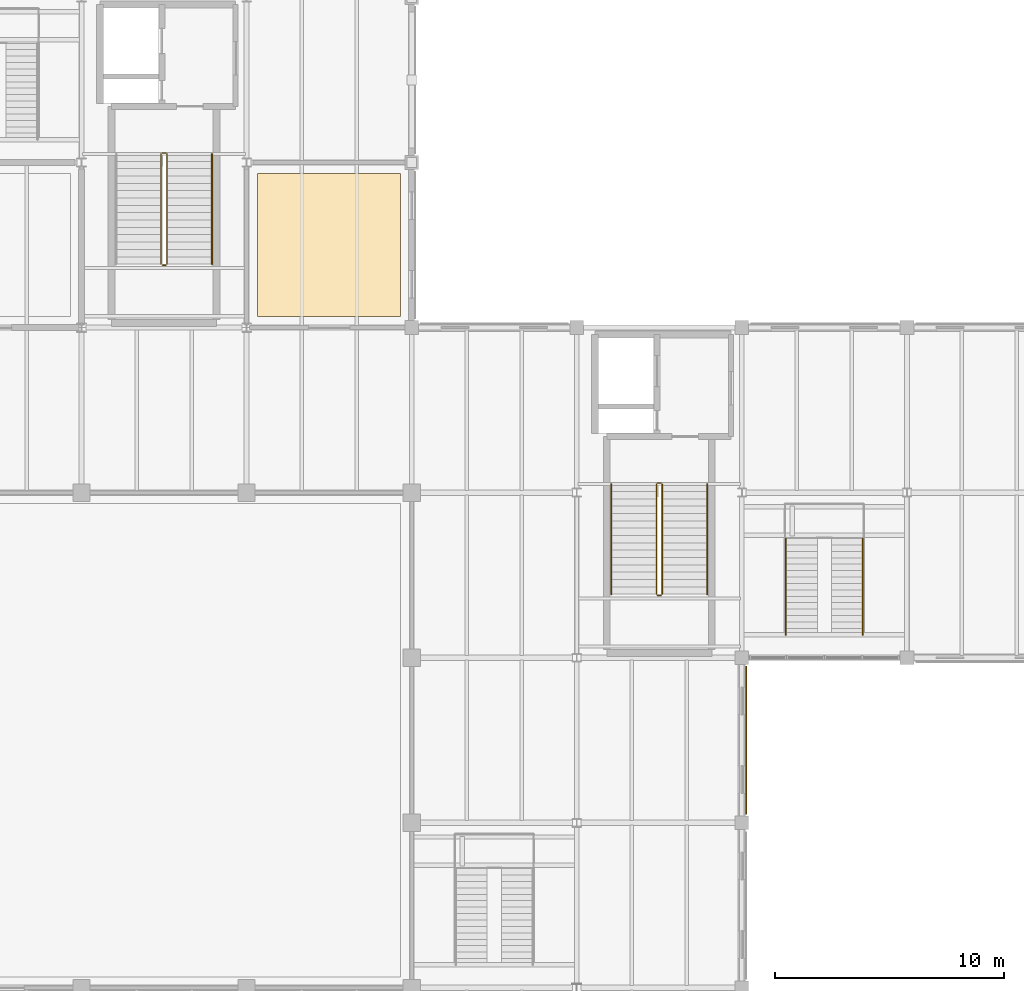
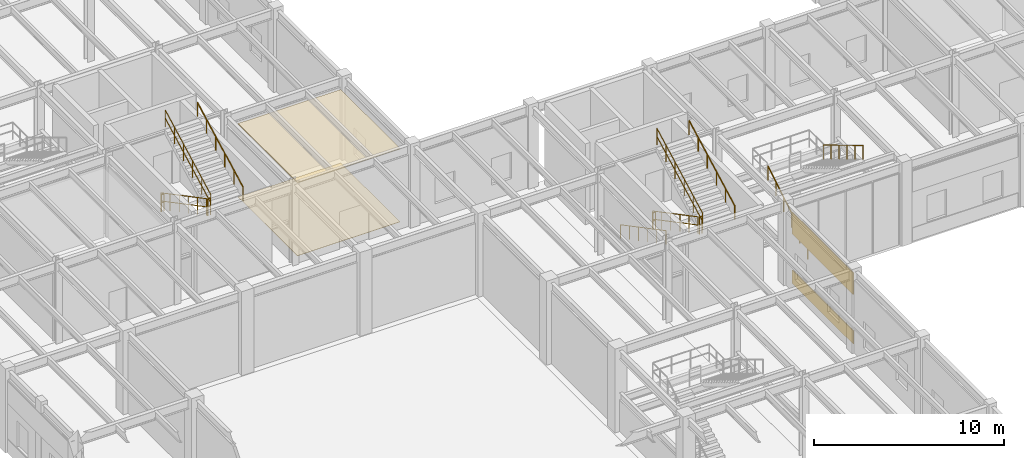
# One storey, part 87 of 97: 13 railings, 4 coverings.
"""IFC4 building model written with IfcOpenShell, lengths in metres."""

from ifc_helpers import new_model, si_unit, direction, frame, frame_2d, origin, origin_2d, place, context, subcontext, project, spatial, polyline, rectangle, circle, outline, extrude, material, layer, layer_set, type_object, element, save


model = new_model("IFC4")

# Units and contexts
model_context = context("Model", 3, precision=1e-05, world=origin(), true_north=direction((0.0, 1.0)))
body_context = subcontext(model_context, "Body", "Model", "MODEL_VIEW")
ifc_project = project(units=[si_unit("LENGTHUNIT", "METRE"), si_unit("AREAUNIT", "SQUARE_METRE"), si_unit("VOLUMEUNIT", "CUBIC_METRE"), si_unit("PLANEANGLEUNIT", "RADIAN"), si_unit("MASSUNIT", "GRAM", prefix="KILO")], contexts=[model_context])

# Site, building, storey
site_placement = place(None, origin())
site = spatial("IfcSite", under=ifc_project, at=site_placement, CompositionType="ELEMENT")
building_placement = place(site_placement, origin())
building = spatial("IfcBuilding", under=site, at=building_placement, Name="Sillqori Civic Hall", CompositionType="ELEMENT")
storey_placement = place(building_placement, origin())
storey = spatial("IfcBuildingStorey", under=building, at=storey_placement, Name="L01", CompositionType="ELEMENT", Elevation=0.0)

# Coverings
ifc_material_1 = material(Name="Andean Cedar Deep Baffle 58", Category="timber")
ifc_layer_1 = layer(ifc_material_1, 0.05810546875)
ifc_layer_set_1 = layer_set([ifc_layer_1], Name="Andean Cedar Deep Baffle 58")
covering_type_1 = type_object("IfcCoveringType", Name="COV-CEIL-T58", PredefinedType="CEILING", material=ifc_layer_set_1)
covering_1_placement = place(storey_placement, frame((0.0, 0.0, 4.69189453125)))
element("IfcCovering", 1, at=covering_1_placement, inside=storey, type_object=covering_type_1, Name="Public Hearing Room Tunari acoustic ceiling", PredefinedType="CEILING", context=body_context, shape_type="SweptSolid", body=[
    extrude(outline(polyline([(29.280029296875, 50.8798828125), (35.52001953125, 50.8798828125), (35.52001953125, 57.1201171875), (29.280029296875, 57.1201171875), (29.280029296875, 50.8798828125)])), origin(), (0.0, 0.0, 1.0), 0.05810546875),
])
ifc_material_2 = material(Name="Cochabamba Honed Limestone Cladding", Category="masonry")
ifc_layer_2 = layer(ifc_material_2, 0.044921875)
ifc_layer_set_2 = layer_set([ifc_layer_2], Name="Cochabamba Honed Limestone Cladding")
covering_type_2 = type_object("IfcCoveringType", Name="COV-CLAD-LIME", PredefinedType="CLADDING", material=ifc_layer_set_2)
covering_2_placement = place(storey_placement, frame((50.590087890625, 35.6201171875, 0.0400390625), z_axis=(0.0, 0.0, 1.0), x_axis=(0.0, -1.0, 0.0)))
element("IfcCovering", 2, at=covering_2_placement, inside=storey, type_object=covering_type_2, Name="L01 limestone spandrel cladding L01-06-04-E", PredefinedType="CLADDING", context=body_context, shape_type="SweptSolid", body=[
    extrude(rectangle(XDim=6.440185546875, YDim=0.044921875, at=frame_2d((3.22021484375, 0.0))), origin(), (0.0, 0.0, 1.0), 0.85986328125),
])
covering_3_placement = place(storey_placement, frame((50.590087890625, 35.6201171875, 3.219970703125), z_axis=(0.0, 0.0, 1.0), x_axis=(0.0, -1.0, 0.0)))
element("IfcCovering", 3, at=covering_3_placement, inside=storey, type_object=covering_type_2, Name="L01 limestone frieze cladding L01-06-04-E", PredefinedType="CLADDING", context=body_context, shape_type="SweptSolid", body=[
    extrude(rectangle(XDim=6.440185546875, YDim=0.044921875, at=frame_2d((3.22021484375, 0.0))), origin(), (0.0, 0.0, 1.0), 1.406982421875),
])
ifc_material_3 = material(Name="Tajibo Parquet Strip Flooring 22", Category="timber")
ifc_layer_3 = layer(ifc_material_3, 0.02197265625)
ifc_layer_set_3 = layer_set([ifc_layer_3], Name="Tajibo Parquet Strip Flooring 22")
covering_type_3 = type_object("IfcCoveringType", Name="COV-FLR-T22", PredefinedType="FLOORING", material=ifc_layer_set_3)
covering_4_placement = place(storey_placement, origin())
element("IfcCovering", 4, at=covering_4_placement, inside=storey, type_object=covering_type_3, Name="Public Hearing Room Tunari floor finish", PredefinedType="FLOORING", context=body_context, shape_type="SweptSolid", body=[
    extrude(outline(polyline([(29.280029296875, 50.8798828125), (35.52001953125, 50.8798828125), (35.52001953125, 57.1201171875), (29.280029296875, 57.1201171875), (29.280029296875, 50.8798828125)])), origin(), (0.0, 0.0, 1.0), 0.02197265625),
])

# Railings
ifc_material_4 = material(Name="Brushed Stainless Steel 316 Handrail", Category="steel")
ifc_layer_4 = layer(ifc_material_4, 0.044921875)
ifc_layer_set_4 = layer_set([ifc_layer_4], Name="Brushed Stainless Steel 316 Handrail")
railing_type_1 = type_object("IfcRailingType", Name="RLG-CORE-092", PredefinedType="HANDRAIL", material=ifc_layer_set_4)
railing_1_placement = place(storey_placement, frame((44.7099609375, 43.570068359375, 0.168701171875)))
element("IfcRailing", 5, at=railing_1_placement, inside=storey, type_object=railing_type_1, Name="L01 ST-01 stair handrail 1", PredefinedType="HANDRAIL", context=body_context, shape_type="SweptSolid", body=[
    extrude(circle(Radius=0.02392578125, at=origin_2d()), frame((0.0, 0.0, 0.8759765625), z_axis=(0.0, -0.8845451381, 0.466454605148), x_axis=(1.0, 0.0, 0.0)), (0.0, 0.0, 1.0), 5.426513671875),
    extrude(circle(Radius=0.02099609375, at=origin_2d()), origin(), (0.0, 0.0, 1.0), 0.851806640625),
    extrude(circle(Radius=0.02099609375, at=origin_2d()), frame((0.0, -0.9599609375, 0.50634765625)), (0.0, 0.0, 1.0), 0.851806640625),
    extrude(circle(Radius=0.02099609375, at=origin_2d()), frame((0.0, -1.919921875, 1.012451171875)), (0.0, 0.0, 1.0), 0.851806640625),
    extrude(circle(Radius=0.02099609375, at=origin_2d()), frame((0.0, -2.880126953125, 1.518798828125)), (0.0, 0.0, 1.0), 0.851806640625),
    extrude(circle(Radius=0.02099609375, at=origin_2d()), frame((0.0, -3.840087890625, 2.02490234375)), (0.0, 0.0, 1.0), 0.851806640625),
    extrude(circle(Radius=0.02099609375, at=origin_2d()), frame((0.0, -4.800048828125, 2.53125)), (0.0, 0.0, 1.0), 0.851806640625),
])
for number, where, name in (
    (6, (48.889892578125, 38.77001953125, 2.86865234375), "L01 ST-01 stair handrail 2"),
    (7, (27.2900390625, 53.169921875, 2.86865234375), "L01 ST-04 stair handrail 2"),
):
    element("IfcRailing", number, at=place(storey_placement, frame(where)), inside=storey, type_object=railing_type_1, Name=name, PredefinedType="HANDRAIL", context=body_context, shape_type="SweptSolid", body=[
        extrude(circle(Radius=0.02392578125, at=origin_2d()), frame((0.0, 0.0, 0.8759765625), z_axis=(0.0, 0.8845451381, 0.466454605148), x_axis=(-1.0, 0.0, 0.0)), (0.0, 0.0, 1.0), 5.426513671875),
        extrude(circle(Radius=0.02099609375, at=origin_2d()), origin(), (0.0, 0.0, 1.0), 0.851806640625),
        extrude(circle(Radius=0.02099609375, at=origin_2d()), frame((0.0, 0.9599609375, 0.50634765625)), (0.0, 0.0, 1.0), 0.851806640625),
        extrude(circle(Radius=0.02099609375, at=origin_2d()), frame((0.0, 1.919921875, 1.012451171875)), (0.0, 0.0, 1.0), 0.851806640625),
        extrude(circle(Radius=0.02099609375, at=origin_2d()), frame((0.0, 2.880126953125, 1.518798828125)), (0.0, 0.0, 1.0), 0.851806640625),
        extrude(circle(Radius=0.02099609375, at=origin_2d()), frame((0.0, 3.840087890625, 2.02490234375)), (0.0, 0.0, 1.0), 0.851806640625),
        extrude(circle(Radius=0.02099609375, at=origin_2d()), frame((0.0, 4.800048828125, 2.53125)), (0.0, 0.0, 1.0), 0.851806640625),
    ])
railing_2_placement = place(storey_placement, frame((52.320068359375, 37.0, 0.168701171875)))
element("IfcRailing", 8, at=railing_2_placement, inside=storey, type_object=railing_type_1, Name="Council Link Concourse Stair L01-L02 handrail W", PredefinedType="HANDRAIL", context=body_context, shape_type="SweptSolid", body=[
    extrude(circle(Radius=0.02392578125, at=origin_2d()), frame((0.0, 0.0, 0.89599609375), z_axis=(0.0, 0.856476492594, 0.516186030065), x_axis=(-1.0, 0.0, 0.0)), (0.0, 0.0, 1.0), 4.90380859375),
    extrude(circle(Radius=0.02099609375, at=origin_2d()), origin(), (0.0, 0.0, 1.0), 0.871826171875),
    extrude(circle(Radius=0.02099609375, at=origin_2d()), frame((0.0, 0.840087890625, 0.50634765625)), (0.0, 0.0, 1.0), 0.871826171875),
    extrude(circle(Radius=0.02099609375, at=origin_2d()), frame((0.0, 1.679931640625, 1.012451171875)), (0.0, 0.0, 1.0), 0.871826171875),
    extrude(circle(Radius=0.02099609375, at=origin_2d()), frame((0.0, 2.52001953125, 1.518798828125)), (0.0, 0.0, 1.0), 0.871826171875),
    extrude(circle(Radius=0.02099609375, at=origin_2d()), frame((0.0, 3.35986328125, 2.02490234375)), (0.0, 0.0, 1.0), 0.871826171875),
    extrude(circle(Radius=0.02099609375, at=origin_2d()), frame((0.0, 4.199951171875, 2.53125)), (0.0, 0.0, 1.0), 0.871826171875),
])
railing_3_placement = place(storey_placement, frame((55.679931640625, 41.199951171875, 2.868896484375)))
element("IfcRailing", 9, at=railing_3_placement, inside=storey, type_object=railing_type_1, Name="Council Link Concourse Stair L01-L02 handrail E", PredefinedType="HANDRAIL", context=body_context, shape_type="SweptSolid", body=[
    extrude(circle(Radius=0.02392578125, at=origin_2d()), frame((0.0, 0.0, 0.89599609375), z_axis=(0.0, -0.856498503035, 0.5161495077), x_axis=(1.0, 0.0, 0.0)), (0.0, 0.0, 1.0), 4.903564453125),
    extrude(circle(Radius=0.02099609375, at=origin_2d()), origin(), (0.0, 0.0, 1.0), 0.871826171875),
    extrude(circle(Radius=0.02099609375, at=origin_2d()), frame((0.0, -0.840087890625, 0.506103515625)), (0.0, 0.0, 1.0), 0.871826171875),
    extrude(circle(Radius=0.02099609375, at=origin_2d()), frame((0.0, -1.679931640625, 1.012451171875)), (0.0, 0.0, 1.0), 0.871826171875),
    extrude(circle(Radius=0.02099609375, at=origin_2d()), frame((0.0, -2.52001953125, 1.5185546875)), (0.0, 0.0, 1.0), 0.871826171875),
    extrude(circle(Radius=0.02099609375, at=origin_2d()), frame((0.0, -3.35986328125, 2.02490234375)), (0.0, 0.0, 1.0), 0.871826171875),
    extrude(circle(Radius=0.02099609375, at=origin_2d()), frame((0.0, -4.199951171875, 2.531005859375)), (0.0, 0.0, 1.0), 0.871826171875),
])
ifc_material_5 = material(Name="Galvanized Painted Steel Guardrail", Category="steel")
ifc_layer_5 = layer(ifc_material_5, 0.050048828125)
ifc_layer_set_5 = layer_set([ifc_layer_5], Name="Galvanized Painted Steel Guardrail")
railing_type_2 = type_object("IfcRailingType", Name="RLG-CORE-110", PredefinedType="GUARDRAIL", material=ifc_layer_set_5)
railing_4_placement = place(storey_placement, frame((46.669921875, 43.570068359375, 0.168701171875)))
element("IfcRailing", 10, at=railing_4_placement, inside=storey, type_object=railing_type_2, Name="L01 ST-01 stair guard 1", PredefinedType="GUARDRAIL", context=body_context, shape_type="SweptSolid", body=[
    extrude(circle(Radius=0.02392578125, at=origin_2d()), frame((0.0, 0.0, 1.076171875), z_axis=(0.0, -0.8845451381, 0.466454605148), x_axis=(1.0, 0.0, 0.0)), (0.0, 0.0, 1.0), 5.426513671875),
    extrude(circle(Radius=0.02392578125, at=origin_2d()), frame((0.0, 0.0, 0.550048828125), z_axis=(0.0, -0.8845451381, 0.466454605148), x_axis=(1.0, 0.0, 0.0)), (0.0, 0.0, 1.0), 5.426513671875),
    extrude(circle(Radius=0.02099609375, at=origin_2d()), origin(), (0.0, 0.0, 1.0), 1.052001953125),
    extrude(circle(Radius=0.02099609375, at=origin_2d()), frame((0.0, -0.9599609375, 0.50634765625)), (0.0, 0.0, 1.0), 1.052001953125),
    extrude(circle(Radius=0.02099609375, at=origin_2d()), frame((0.0, -1.919921875, 1.012451171875)), (0.0, 0.0, 1.0), 1.052001953125),
    extrude(circle(Radius=0.02099609375, at=origin_2d()), frame((0.0, -2.880126953125, 1.518798828125)), (0.0, 0.0, 1.0), 1.052001953125),
    extrude(circle(Radius=0.02099609375, at=origin_2d()), frame((0.0, -3.840087890625, 2.02490234375)), (0.0, 0.0, 1.0), 1.052001953125),
    extrude(circle(Radius=0.02099609375, at=origin_2d()), frame((0.0, -4.800048828125, 2.53125)), (0.0, 0.0, 1.0), 1.052001953125),
])
railing_5_placement = place(storey_placement, frame((46.719970703125, 38.719970703125, 2.699951171875)))
element("IfcRailing", 11, at=railing_5_placement, inside=storey, type_object=railing_type_2, Name="L01 ST-01 stair guard 2", PredefinedType="GUARDRAIL", context=body_context, shape_type="SweptSolid", body=[
    extrude(circle(Radius=0.02392578125, at=origin_2d()), frame((0.0, 0.0, 1.076171875), z_axis=(1.0, 0.0, 0.0), x_axis=(0.0, 1.0, 0.0)), (0.0, 0.0, 1.0), 0.159912109375),
    extrude(circle(Radius=0.02392578125, at=origin_2d()), frame((0.0, 0.0, 0.550048828125), z_axis=(1.0, 0.0, 0.0), x_axis=(0.0, 1.0, 0.0)), (0.0, 0.0, 1.0), 0.159912109375),
    extrude(circle(Radius=0.02099609375, at=origin_2d()), origin(), (0.0, 0.0, 1.0), 1.052001953125),
    extrude(circle(Radius=0.02099609375, at=origin_2d()), frame((0.159912109375, 0.0, 0.0)), (0.0, 0.0, 1.0), 1.052001953125),
])
railing_6_placement = place(storey_placement, frame((46.929931640625, 38.77001953125, 2.86865234375)))
element("IfcRailing", 12, at=railing_6_placement, inside=storey, type_object=railing_type_2, Name="L01 ST-01 stair guard 3", PredefinedType="GUARDRAIL", context=body_context, shape_type="SweptSolid", body=[
    extrude(circle(Radius=0.02392578125, at=origin_2d()), frame((0.0, 0.0, 1.076171875), z_axis=(0.0, 0.8845451381, 0.466454605148), x_axis=(-1.0, 0.0, 0.0)), (0.0, 0.0, 1.0), 5.426513671875),
    extrude(circle(Radius=0.02392578125, at=origin_2d()), frame((0.0, 0.0, 0.550048828125), z_axis=(0.0, 0.8845451381, 0.466454605148), x_axis=(-1.0, 0.0, 0.0)), (0.0, 0.0, 1.0), 5.426513671875),
    extrude(circle(Radius=0.02099609375, at=origin_2d()), origin(), (0.0, 0.0, 1.0), 1.052001953125),
    extrude(circle(Radius=0.02099609375, at=origin_2d()), frame((0.0, 0.9599609375, 0.50634765625)), (0.0, 0.0, 1.0), 1.052001953125),
    extrude(circle(Radius=0.02099609375, at=origin_2d()), frame((0.0, 1.919921875, 1.012451171875)), (0.0, 0.0, 1.0), 1.052001953125),
    extrude(circle(Radius=0.02099609375, at=origin_2d()), frame((0.0, 2.880126953125, 1.518798828125)), (0.0, 0.0, 1.0), 1.052001953125),
    extrude(circle(Radius=0.02099609375, at=origin_2d()), frame((0.0, 3.840087890625, 2.02490234375)), (0.0, 0.0, 1.0), 1.052001953125),
    extrude(circle(Radius=0.02099609375, at=origin_2d()), frame((0.0, 4.800048828125, 2.53125)), (0.0, 0.0, 1.0), 1.052001953125),
])
railing_7_placement = place(storey_placement, frame((46.719970703125, 43.6201171875, 0.0)))
element("IfcRailing", 13, at=railing_7_placement, inside=storey, type_object=railing_type_2, Name="L01 ST-01 stair guard 4", PredefinedType="GUARDRAIL", context=body_context, shape_type="SweptSolid", body=[
    extrude(circle(Radius=0.02392578125, at=origin_2d()), frame((0.0, 0.0, 1.076171875), z_axis=(1.0, 0.0, 0.0), x_axis=(0.0, 1.0, 0.0)), (0.0, 0.0, 1.0), 0.159912109375),
    extrude(circle(Radius=0.02392578125, at=origin_2d()), frame((0.0, 0.0, 0.550048828125), z_axis=(1.0, 0.0, 0.0), x_axis=(0.0, 1.0, 0.0)), (0.0, 0.0, 1.0), 0.159912109375),
    extrude(circle(Radius=0.02099609375, at=origin_2d()), origin(), (0.0, 0.0, 1.0), 1.052001953125),
    extrude(circle(Radius=0.02099609375, at=origin_2d()), frame((0.159912109375, 0.0, 0.0)), (0.0, 0.0, 1.0), 1.052001953125),
])
railing_8_placement = place(storey_placement, frame((25.070068359375, 57.969970703125, 0.168701171875)))
element("IfcRailing", 14, at=railing_8_placement, inside=storey, type_object=railing_type_2, Name="L01 ST-04 stair guard 1", PredefinedType="GUARDRAIL", context=body_context, shape_type="SweptSolid", body=[
    extrude(circle(Radius=0.02392578125, at=origin_2d()), frame((0.0, 0.0, 1.076171875), z_axis=(0.0, -0.8845451381, 0.466454605148), x_axis=(1.0, 0.0, 0.0)), (0.0, 0.0, 1.0), 5.426513671875),
    extrude(circle(Radius=0.02392578125, at=origin_2d()), frame((0.0, 0.0, 0.550048828125), z_axis=(0.0, -0.8845451381, 0.466454605148), x_axis=(1.0, 0.0, 0.0)), (0.0, 0.0, 1.0), 5.426513671875),
    extrude(circle(Radius=0.02099609375, at=origin_2d()), origin(), (0.0, 0.0, 1.0), 1.052001953125),
    extrude(circle(Radius=0.02099609375, at=origin_2d()), frame((0.0, -0.9599609375, 0.50634765625)), (0.0, 0.0, 1.0), 1.052001953125),
    extrude(circle(Radius=0.02099609375, at=origin_2d()), frame((0.0, -1.919921875, 1.012451171875)), (0.0, 0.0, 1.0), 1.052001953125),
    extrude(circle(Radius=0.02099609375, at=origin_2d()), frame((0.0, -2.880126953125, 1.518798828125)), (0.0, 0.0, 1.0), 1.052001953125),
    extrude(circle(Radius=0.02099609375, at=origin_2d()), frame((0.0, -3.840087890625, 2.02490234375)), (0.0, 0.0, 1.0), 1.052001953125),
    extrude(circle(Radius=0.02099609375, at=origin_2d()), frame((0.0, -4.800048828125, 2.53125)), (0.0, 0.0, 1.0), 1.052001953125),
])
railing_9_placement = place(storey_placement, frame((25.1201171875, 53.1201171875, 2.699951171875)))
element("IfcRailing", 15, at=railing_9_placement, inside=storey, type_object=railing_type_2, Name="L01 ST-04 stair guard 2", PredefinedType="GUARDRAIL", context=body_context, shape_type="SweptSolid", body=[
    extrude(circle(Radius=0.02392578125, at=origin_2d()), frame((0.0, 0.0, 1.076171875), z_axis=(1.0, 0.0, 0.0), x_axis=(0.0, 1.0, 0.0)), (0.0, 0.0, 1.0), 0.159912109375),
    extrude(circle(Radius=0.02392578125, at=origin_2d()), frame((0.0, 0.0, 0.550048828125), z_axis=(1.0, 0.0, 0.0), x_axis=(0.0, 1.0, 0.0)), (0.0, 0.0, 1.0), 0.159912109375),
    extrude(circle(Radius=0.02099609375, at=origin_2d()), origin(), (0.0, 0.0, 1.0), 1.052001953125),
    extrude(circle(Radius=0.02099609375, at=origin_2d()), frame((0.159912109375, 0.0, 0.0)), (0.0, 0.0, 1.0), 1.052001953125),
])
railing_10_placement = place(storey_placement, frame((25.330078125, 53.169921875, 2.86865234375)))
element("IfcRailing", 16, at=railing_10_placement, inside=storey, type_object=railing_type_2, Name="L01 ST-04 stair guard 3", PredefinedType="GUARDRAIL", context=body_context, shape_type="SweptSolid", body=[
    extrude(circle(Radius=0.02392578125, at=origin_2d()), frame((0.0, 0.0, 1.076171875), z_axis=(0.0, 0.8845451381, 0.466454605148), x_axis=(-1.0, 0.0, 0.0)), (0.0, 0.0, 1.0), 5.426513671875),
    extrude(circle(Radius=0.02392578125, at=origin_2d()), frame((0.0, 0.0, 0.550048828125), z_axis=(0.0, 0.8845451381, 0.466454605148), x_axis=(-1.0, 0.0, 0.0)), (0.0, 0.0, 1.0), 5.426513671875),
    extrude(circle(Radius=0.02099609375, at=origin_2d()), origin(), (0.0, 0.0, 1.0), 1.052001953125),
    extrude(circle(Radius=0.02099609375, at=origin_2d()), frame((0.0, 0.9599609375, 0.50634765625)), (0.0, 0.0, 1.0), 1.052001953125),
    extrude(circle(Radius=0.02099609375, at=origin_2d()), frame((0.0, 1.919921875, 1.012451171875)), (0.0, 0.0, 1.0), 1.052001953125),
    extrude(circle(Radius=0.02099609375, at=origin_2d()), frame((0.0, 2.880126953125, 1.518798828125)), (0.0, 0.0, 1.0), 1.052001953125),
    extrude(circle(Radius=0.02099609375, at=origin_2d()), frame((0.0, 3.840087890625, 2.02490234375)), (0.0, 0.0, 1.0), 1.052001953125),
    extrude(circle(Radius=0.02099609375, at=origin_2d()), frame((0.0, 4.800048828125, 2.53125)), (0.0, 0.0, 1.0), 1.052001953125),
])
railing_11_placement = place(storey_placement, frame((25.1201171875, 58.02001953125, 0.0)))
element("IfcRailing", 17, at=railing_11_placement, inside=storey, type_object=railing_type_2, Name="L01 ST-04 stair guard 4", PredefinedType="GUARDRAIL", context=body_context, shape_type="SweptSolid", body=[
    extrude(circle(Radius=0.02392578125, at=origin_2d()), frame((0.0, 0.0, 1.076171875), z_axis=(1.0, 0.0, 0.0), x_axis=(0.0, 1.0, 0.0)), (0.0, 0.0, 1.0), 0.159912109375),
    extrude(circle(Radius=0.02392578125, at=origin_2d()), frame((0.0, 0.0, 0.550048828125), z_axis=(1.0, 0.0, 0.0), x_axis=(0.0, 1.0, 0.0)), (0.0, 0.0, 1.0), 0.159912109375),
    extrude(circle(Radius=0.02099609375, at=origin_2d()), origin(), (0.0, 0.0, 1.0), 1.052001953125),
    extrude(circle(Radius=0.02099609375, at=origin_2d()), frame((0.159912109375, 0.0, 0.0)), (0.0, 0.0, 1.0), 1.052001953125),
])

save(model, "model.ifc")
